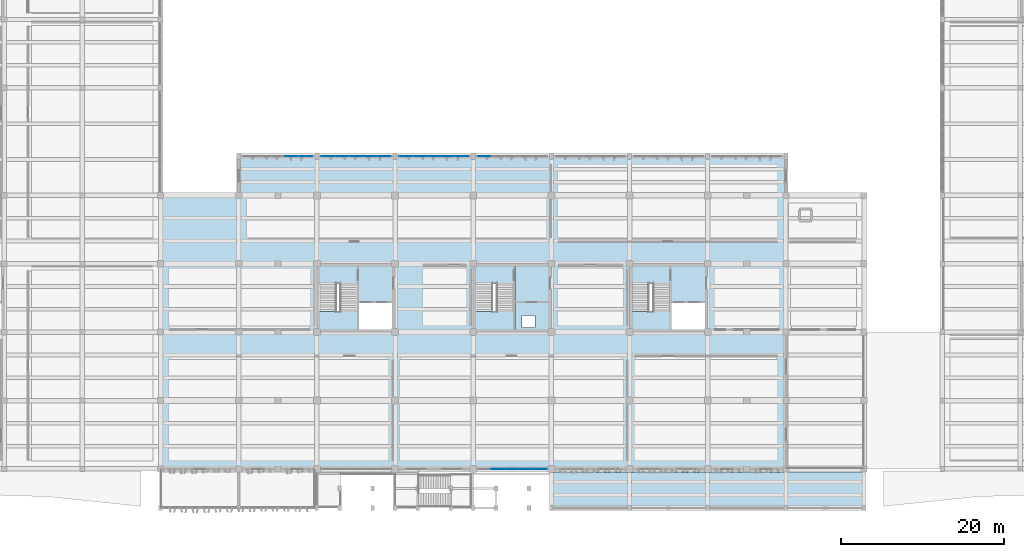
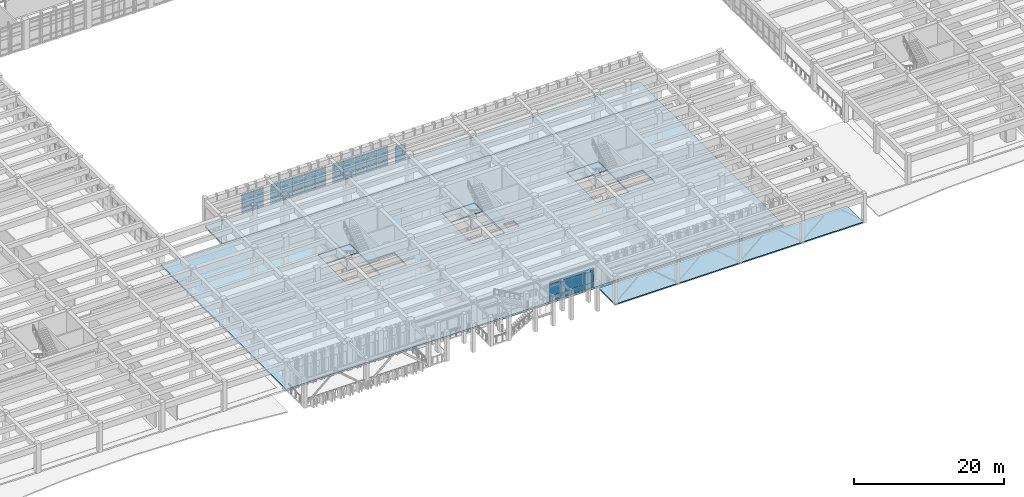
# One storey, part 47 of 86: 50 plates, 9 slabs, 8 elements without a shape of their own.
"""IFC4 building model written with IfcOpenShell, lengths in metres."""

from ifc_helpers import new_model, si_unit, direction, frame, origin, origin_2d, place, context, subcontext, project, spatial, polyline, rectangle, outline, extrude, material, layer, layer_set, type_object, element, aggregate, save


model = new_model("IFC4")

# Units and contexts
model_context = context("Model", 3, precision=1e-05, world=origin(), true_north=direction((0.0, 1.0)))
body_context = subcontext(model_context, "Body", "Model", "MODEL_VIEW")
ifc_project = project(units=[si_unit("LENGTHUNIT", "METRE"), si_unit("AREAUNIT", "SQUARE_METRE"), si_unit("VOLUMEUNIT", "CUBIC_METRE"), si_unit("PLANEANGLEUNIT", "RADIAN"), si_unit("MASSUNIT", "GRAM", prefix="KILO")], contexts=[model_context])

# Site, building, storey
site_placement = place(None, origin())
site = spatial("IfcSite", under=ifc_project, at=site_placement, CompositionType="ELEMENT")
building_placement = place(site_placement, origin())
building = spatial("IfcBuilding", under=site, at=building_placement, Name="Kolvemor Railside Polytechnic", CompositionType="ELEMENT")
storey_placement = place(building_placement, frame((0.0, 0.0, 5.39990234375)))
storey = spatial("IfcBuildingStorey", under=building, at=storey_placement, Name="L01", CompositionType="ELEMENT", Elevation=5.39990234375)

# Curtain wall, plates
ifc_material_1 = material(Name="Anodised marine aluminium and laminated low-E glass", Category="aluminium")
ifc_layer_1 = layer(ifc_material_1, 0.179931640625, Name="CW-UNIT-STD")
ifc_layer_set_1 = layer_set([ifc_layer_1], Name="Anodised marine aluminium and laminated low-E glass")
curtain_wall_type = type_object("IfcCurtainWallType", Name="CW-UNIT-STD", PredefinedType="USERDEFINED", material=ifc_layer_set_1)
curtain_wall_1_placement = place(storey_placement, origin())
curtain_wall_1 = element("IfcCurtainWall", 1, at=curtain_wall_1_placement, inside=storey, type_object=curtain_wall_type, Name="Curtain Wall L01-113", ObjectType="UNITISED CURTAIN WALL", PredefinedType="USERDEFINED")
ifc_material_2 = material(Name="Hurricane-laminated solar-control low-E glass", Category="glass")
ifc_layer_2 = layer(ifc_material_2, 0.02587890625, Name="CWP-GLZ-03")
ifc_layer_set_2 = layer_set([ifc_layer_2], Name="Hurricane-laminated solar-control low-E glass")
plate_type_1 = type_object("IfcPlateType", Name="CWP-GLZ-03", PredefinedType="CURTAIN_PANEL", material=ifc_layer_set_2)
plate_1_placement = place(storey_placement, frame((65.84765625, 43.199951171875, 0.06494140625), z_axis=(0.0, 0.0, 1.0), x_axis=(-1.0, 0.0, 0.0)))
plate_1 = element("IfcPlate", 2, at=plate_1_placement, type_object=plate_type_1, Name="CW-STD panel 1.1", PredefinedType="CURTAIN_PANEL", context=body_context, shape_type="SweptSolid", body=[
    extrude(rectangle(XDim=1.634521484375, YDim=0.02587890625, at=origin_2d()), origin(), (0.0, 0.0, 1.0), 0.802490234375),
])
plate_2_placement = place(storey_placement, frame((65.84765625, 43.199951171875, 0.9326171875), z_axis=(0.0, 0.0, 1.0), x_axis=(-1.0, 0.0, 0.0)))
plate_2 = element("IfcPlate", 3, at=plate_2_placement, type_object=plate_type_1, Name="CW-STD panel 1.2", PredefinedType="CURTAIN_PANEL", context=body_context, shape_type="SweptSolid", body=[
    extrude(rectangle(XDim=1.634521484375, YDim=0.02587890625, at=origin_2d()), origin(), (0.0, 0.0, 1.0), 1.764892578125),
])
plate_3_placement = place(storey_placement, frame((65.84765625, 43.199951171875, 2.7626953125), z_axis=(0.0, 0.0, 1.0), x_axis=(-1.0, 0.0, 0.0)))
plate_3 = element("IfcPlate", 4, at=plate_3_placement, type_object=plate_type_1, Name="CW-STD panel 1.3", PredefinedType="CURTAIN_PANEL", context=body_context, shape_type="SweptSolid", body=[
    extrude(rectangle(XDim=1.634521484375, YDim=0.02587890625, at=origin_2d()), origin(), (0.0, 0.0, 1.0), 0.452392578125),
])
plate_4_placement = place(storey_placement, frame((64.132080078125, 43.199951171875, 0.06494140625), z_axis=(0.0, 0.0, 1.0), x_axis=(-1.0, 0.0, 0.0)))
plate_4 = element("IfcPlate", 5, at=plate_4_placement, type_object=plate_type_1, Name="CW-STD panel 2.1", PredefinedType="CURTAIN_PANEL", context=body_context, shape_type="SweptSolid", body=[
    extrude(rectangle(XDim=1.6669921875, YDim=0.02587890625, at=origin_2d()), origin(), (0.0, 0.0, 1.0), 0.802490234375),
])
plate_5_placement = place(storey_placement, frame((64.132080078125, 43.199951171875, 0.9326171875), z_axis=(0.0, 0.0, 1.0), x_axis=(-1.0, 0.0, 0.0)))
plate_5 = element("IfcPlate", 6, at=plate_5_placement, type_object=plate_type_1, Name="CW-STD panel 2.2", PredefinedType="CURTAIN_PANEL", context=body_context, shape_type="SweptSolid", body=[
    extrude(rectangle(XDim=1.6669921875, YDim=0.02587890625, at=origin_2d()), origin(), (0.0, 0.0, 1.0), 1.764892578125),
])
plate_6_placement = place(storey_placement, frame((64.132080078125, 43.199951171875, 2.7626953125), z_axis=(0.0, 0.0, 1.0), x_axis=(-1.0, 0.0, 0.0)))
plate_6 = element("IfcPlate", 7, at=plate_6_placement, type_object=plate_type_1, Name="CW-STD panel 2.3", PredefinedType="CURTAIN_PANEL", context=body_context, shape_type="SweptSolid", body=[
    extrude(rectangle(XDim=1.6669921875, YDim=0.02587890625, at=origin_2d()), origin(), (0.0, 0.0, 1.0), 0.452392578125),
])
aggregate(curtain_wall_1, [plate_1, plate_2, plate_3, plate_4, plate_5, plate_6])

curtain_wall_2_placement = place(storey_placement, origin())
curtain_wall_2 = element("IfcCurtainWall", 8, at=curtain_wall_2_placement, inside=storey, type_object=curtain_wall_type, Name="Curtain Wall L01-114", ObjectType="UNITISED CURTAIN WALL", PredefinedType="USERDEFINED")
ifc_material_3 = material(Name="Hurricane-laminated solar-control low-E glass", Category="glass")
ifc_layer_3 = layer(ifc_material_3, 0.028076171875, Name="CWP-GLZ-04")
ifc_layer_set_3 = layer_set([ifc_layer_3], Name="Hurricane-laminated solar-control low-E glass")
plate_type_2 = type_object("IfcPlateType", Name="CWP-GLZ-04", PredefinedType="CURTAIN_PANEL", material=ifc_layer_set_3)
plate_7_placement = place(storey_placement, frame((75.44775390625, 43.199951171875, 0.06494140625), z_axis=(0.0, 0.0, 1.0), x_axis=(-1.0, 0.0, 0.0)))
plate_7 = element("IfcPlate", 9, at=plate_7_placement, type_object=plate_type_2, Name="CW-STD panel 1.1", PredefinedType="CURTAIN_PANEL", context=body_context, shape_type="SweptSolid", body=[
    extrude(rectangle(XDim=1.634521484375, YDim=0.028076171875, at=origin_2d()), origin(), (0.0, 0.0, 1.0), 0.802490234375),
])
plate_8_placement = place(storey_placement, frame((75.44775390625, 43.199951171875, 0.9326171875), z_axis=(0.0, 0.0, 1.0), x_axis=(-1.0, 0.0, 0.0)))
plate_8 = element("IfcPlate", 10, at=plate_8_placement, type_object=plate_type_2, Name="CW-STD panel 1.2", PredefinedType="CURTAIN_PANEL", context=body_context, shape_type="SweptSolid", body=[
    extrude(rectangle(XDim=1.634521484375, YDim=0.028076171875, at=origin_2d()), origin(), (0.0, 0.0, 1.0), 1.764892578125),
])
plate_9_placement = place(storey_placement, frame((75.44775390625, 43.199951171875, 2.7626953125), z_axis=(0.0, 0.0, 1.0), x_axis=(-1.0, 0.0, 0.0)))
plate_9 = element("IfcPlate", 11, at=plate_9_placement, type_object=plate_type_2, Name="CW-STD panel 1.3", PredefinedType="CURTAIN_PANEL", context=body_context, shape_type="SweptSolid", body=[
    extrude(rectangle(XDim=1.634521484375, YDim=0.028076171875, at=origin_2d()), origin(), (0.0, 0.0, 1.0), 0.452392578125),
])
plate_10_placement = place(storey_placement, frame((73.73193359375, 43.199951171875, 0.06494140625), z_axis=(0.0, 0.0, 1.0), x_axis=(-1.0, 0.0, 0.0)))
plate_10 = element("IfcPlate", 12, at=plate_10_placement, type_object=plate_type_2, Name="CW-STD panel 2.1", PredefinedType="CURTAIN_PANEL", context=body_context, shape_type="SweptSolid", body=[
    extrude(rectangle(XDim=1.6669921875, YDim=0.028076171875, at=origin_2d()), origin(), (0.0, 0.0, 1.0), 0.802490234375),
])
plate_11_placement = place(storey_placement, frame((73.73193359375, 43.199951171875, 0.9326171875), z_axis=(0.0, 0.0, 1.0), x_axis=(-1.0, 0.0, 0.0)))
plate_11 = element("IfcPlate", 13, at=plate_11_placement, type_object=plate_type_2, Name="CW-STD panel 2.2", PredefinedType="CURTAIN_PANEL", context=body_context, shape_type="SweptSolid", body=[
    extrude(rectangle(XDim=1.6669921875, YDim=0.028076171875, at=origin_2d()), origin(), (0.0, 0.0, 1.0), 1.764892578125),
])
plate_12_placement = place(storey_placement, frame((73.73193359375, 43.199951171875, 2.7626953125), z_axis=(0.0, 0.0, 1.0), x_axis=(-1.0, 0.0, 0.0)))
plate_12 = element("IfcPlate", 14, at=plate_12_placement, type_object=plate_type_2, Name="CW-STD panel 2.3", PredefinedType="CURTAIN_PANEL", context=body_context, shape_type="SweptSolid", body=[
    extrude(rectangle(XDim=1.6669921875, YDim=0.028076171875, at=origin_2d()), origin(), (0.0, 0.0, 1.0), 0.452392578125),
])
plate_13_placement = place(storey_placement, frame((72.0, 43.199951171875, 0.06494140625), z_axis=(0.0, 0.0, 1.0), x_axis=(-1.0, 0.0, 0.0)))
plate_13 = element("IfcPlate", 15, at=plate_13_placement, type_object=plate_type_2, Name="CW-STD panel 3.1", PredefinedType="CURTAIN_PANEL", context=body_context, shape_type="SweptSolid", body=[
    extrude(rectangle(XDim=1.6669921875, YDim=0.028076171875, at=origin_2d()), origin(), (0.0, 0.0, 1.0), 0.802490234375),
])
plate_14_placement = place(storey_placement, frame((72.0, 43.199951171875, 0.9326171875), z_axis=(0.0, 0.0, 1.0), x_axis=(-1.0, 0.0, 0.0)))
plate_14 = element("IfcPlate", 16, at=plate_14_placement, type_object=plate_type_2, Name="CW-STD panel 3.2", PredefinedType="CURTAIN_PANEL", context=body_context, shape_type="SweptSolid", body=[
    extrude(rectangle(XDim=1.6669921875, YDim=0.028076171875, at=origin_2d()), origin(), (0.0, 0.0, 1.0), 1.764892578125),
])
plate_15_placement = place(storey_placement, frame((72.0, 43.199951171875, 2.7626953125), z_axis=(0.0, 0.0, 1.0), x_axis=(-1.0, 0.0, 0.0)))
plate_15 = element("IfcPlate", 17, at=plate_15_placement, type_object=plate_type_2, Name="CW-STD panel 3.3", PredefinedType="CURTAIN_PANEL", context=body_context, shape_type="SweptSolid", body=[
    extrude(rectangle(XDim=1.6669921875, YDim=0.028076171875, at=origin_2d()), origin(), (0.0, 0.0, 1.0), 0.452392578125),
])
plate_16_placement = place(storey_placement, frame((70.26806640625, 43.199951171875, 0.06494140625), z_axis=(0.0, 0.0, 1.0), x_axis=(-1.0, 0.0, 0.0)))
plate_16 = element("IfcPlate", 18, at=plate_16_placement, type_object=plate_type_2, Name="CW-STD panel 4.1", PredefinedType="CURTAIN_PANEL", context=body_context, shape_type="SweptSolid", body=[
    extrude(rectangle(XDim=1.6669921875, YDim=0.028076171875, at=origin_2d()), origin(), (0.0, 0.0, 1.0), 0.802490234375),
])
plate_17_placement = place(storey_placement, frame((70.26806640625, 43.199951171875, 0.9326171875), z_axis=(0.0, 0.0, 1.0), x_axis=(-1.0, 0.0, 0.0)))
plate_17 = element("IfcPlate", 19, at=plate_17_placement, type_object=plate_type_2, Name="CW-STD panel 4.2", PredefinedType="CURTAIN_PANEL", context=body_context, shape_type="SweptSolid", body=[
    extrude(rectangle(XDim=1.6669921875, YDim=0.028076171875, at=origin_2d()), origin(), (0.0, 0.0, 1.0), 1.764892578125),
])
plate_18_placement = place(storey_placement, frame((70.26806640625, 43.199951171875, 2.7626953125), z_axis=(0.0, 0.0, 1.0), x_axis=(-1.0, 0.0, 0.0)))
plate_18 = element("IfcPlate", 20, at=plate_18_placement, type_object=plate_type_2, Name="CW-STD panel 4.3", PredefinedType="CURTAIN_PANEL", context=body_context, shape_type="SweptSolid", body=[
    extrude(rectangle(XDim=1.6669921875, YDim=0.028076171875, at=origin_2d()), origin(), (0.0, 0.0, 1.0), 0.452392578125),
])
plate_19_placement = place(storey_placement, frame((68.55224609375, 43.199951171875, 0.06494140625), z_axis=(0.0, 0.0, 1.0), x_axis=(-1.0, 0.0, 0.0)))
plate_19 = element("IfcPlate", 21, at=plate_19_placement, type_object=plate_type_2, Name="CW-STD panel 5.1", PredefinedType="CURTAIN_PANEL", context=body_context, shape_type="SweptSolid", body=[
    extrude(rectangle(XDim=1.634521484375, YDim=0.028076171875, at=origin_2d()), origin(), (0.0, 0.0, 1.0), 0.802490234375),
])
plate_20_placement = place(storey_placement, frame((68.55224609375, 43.199951171875, 0.9326171875), z_axis=(0.0, 0.0, 1.0), x_axis=(-1.0, 0.0, 0.0)))
plate_20 = element("IfcPlate", 22, at=plate_20_placement, type_object=plate_type_2, Name="CW-STD panel 5.2", PredefinedType="CURTAIN_PANEL", context=body_context, shape_type="SweptSolid", body=[
    extrude(rectangle(XDim=1.634521484375, YDim=0.028076171875, at=origin_2d()), origin(), (0.0, 0.0, 1.0), 1.764892578125),
])
plate_21_placement = place(storey_placement, frame((68.55224609375, 43.199951171875, 2.7626953125), z_axis=(0.0, 0.0, 1.0), x_axis=(-1.0, 0.0, 0.0)))
plate_21 = element("IfcPlate", 23, at=plate_21_placement, type_object=plate_type_2, Name="CW-STD panel 5.3", PredefinedType="CURTAIN_PANEL", context=body_context, shape_type="SweptSolid", body=[
    extrude(rectangle(XDim=1.634521484375, YDim=0.028076171875, at=origin_2d()), origin(), (0.0, 0.0, 1.0), 0.452392578125),
])
aggregate(curtain_wall_2, [plate_7, plate_8, plate_9, plate_10, plate_11, plate_12, plate_13, plate_14, plate_15, plate_16, plate_17, plate_18, plate_19, plate_20, plate_21])

curtain_wall_3_placement = place(storey_placement, origin())
curtain_wall_3 = element("IfcCurtainWall", 24, at=curtain_wall_3_placement, inside=storey, type_object=curtain_wall_type, Name="Curtain Wall L01-115", ObjectType="UNITISED CURTAIN WALL", PredefinedType="USERDEFINED")
ifc_material_4 = material(Name="Hurricane-laminated solar-control low-E glass", Category="glass")
ifc_layer_4 = layer(ifc_material_4, 0.030029296875, Name="CWP-GLZ-05")
ifc_layer_set_4 = layer_set([ifc_layer_4], Name="Hurricane-laminated solar-control low-E glass")
plate_type_3 = type_object("IfcPlateType", Name="CWP-GLZ-05", PredefinedType="CURTAIN_PANEL", material=ifc_layer_set_4)
plate_22_placement = place(storey_placement, frame((85.0478515625, 43.199951171875, 0.06494140625), z_axis=(0.0, 0.0, 1.0), x_axis=(-1.0, 0.0, 0.0)))
plate_22 = element("IfcPlate", 25, at=plate_22_placement, type_object=plate_type_3, Name="CW-STD panel 1.1", PredefinedType="CURTAIN_PANEL", context=body_context, shape_type="SweptSolid", body=[
    extrude(rectangle(XDim=1.634521484375, YDim=0.030029296875, at=origin_2d()), origin(), (0.0, 0.0, 1.0), 0.802490234375),
])
plate_23_placement = place(storey_placement, frame((85.0478515625, 43.199951171875, 0.9326171875), z_axis=(0.0, 0.0, 1.0), x_axis=(-1.0, 0.0, 0.0)))
plate_23 = element("IfcPlate", 26, at=plate_23_placement, type_object=plate_type_3, Name="CW-STD panel 1.2", PredefinedType="CURTAIN_PANEL", context=body_context, shape_type="SweptSolid", body=[
    extrude(rectangle(XDim=1.634521484375, YDim=0.030029296875, at=origin_2d()), origin(), (0.0, 0.0, 1.0), 1.764892578125),
])
plate_24_placement = place(storey_placement, frame((85.0478515625, 43.199951171875, 2.7626953125), z_axis=(0.0, 0.0, 1.0), x_axis=(-1.0, 0.0, 0.0)))
plate_24 = element("IfcPlate", 27, at=plate_24_placement, type_object=plate_type_3, Name="CW-STD panel 1.3", PredefinedType="CURTAIN_PANEL", context=body_context, shape_type="SweptSolid", body=[
    extrude(rectangle(XDim=1.634521484375, YDim=0.030029296875, at=origin_2d()), origin(), (0.0, 0.0, 1.0), 0.452392578125),
])
plate_25_placement = place(storey_placement, frame((83.33203125, 43.199951171875, 0.06494140625), z_axis=(0.0, 0.0, 1.0), x_axis=(-1.0, 0.0, 0.0)))
plate_25 = element("IfcPlate", 28, at=plate_25_placement, type_object=plate_type_3, Name="CW-STD panel 2.1", PredefinedType="CURTAIN_PANEL", context=body_context, shape_type="SweptSolid", body=[
    extrude(rectangle(XDim=1.6669921875, YDim=0.030029296875, at=origin_2d()), origin(), (0.0, 0.0, 1.0), 0.802490234375),
])
plate_26_placement = place(storey_placement, frame((83.33203125, 43.199951171875, 0.9326171875), z_axis=(0.0, 0.0, 1.0), x_axis=(-1.0, 0.0, 0.0)))
plate_26 = element("IfcPlate", 29, at=plate_26_placement, type_object=plate_type_3, Name="CW-STD panel 2.2", PredefinedType="CURTAIN_PANEL", context=body_context, shape_type="SweptSolid", body=[
    extrude(rectangle(XDim=1.6669921875, YDim=0.030029296875, at=origin_2d()), origin(), (0.0, 0.0, 1.0), 1.764892578125),
])
plate_27_placement = place(storey_placement, frame((83.33203125, 43.199951171875, 2.7626953125), z_axis=(0.0, 0.0, 1.0), x_axis=(-1.0, 0.0, 0.0)))
plate_27 = element("IfcPlate", 30, at=plate_27_placement, type_object=plate_type_3, Name="CW-STD panel 2.3", PredefinedType="CURTAIN_PANEL", context=body_context, shape_type="SweptSolid", body=[
    extrude(rectangle(XDim=1.6669921875, YDim=0.030029296875, at=origin_2d()), origin(), (0.0, 0.0, 1.0), 0.452392578125),
])
plate_28_placement = place(storey_placement, frame((81.60009765625, 43.199951171875, 0.06494140625), z_axis=(0.0, 0.0, 1.0), x_axis=(-1.0, 0.0, 0.0)))
plate_28 = element("IfcPlate", 31, at=plate_28_placement, type_object=plate_type_3, Name="CW-STD panel 3.1", PredefinedType="CURTAIN_PANEL", context=body_context, shape_type="SweptSolid", body=[
    extrude(rectangle(XDim=1.6669921875, YDim=0.030029296875, at=origin_2d()), origin(), (0.0, 0.0, 1.0), 0.802490234375),
])
plate_29_placement = place(storey_placement, frame((81.60009765625, 43.199951171875, 0.9326171875), z_axis=(0.0, 0.0, 1.0), x_axis=(-1.0, 0.0, 0.0)))
plate_29 = element("IfcPlate", 32, at=plate_29_placement, type_object=plate_type_3, Name="CW-STD panel 3.2", PredefinedType="CURTAIN_PANEL", context=body_context, shape_type="SweptSolid", body=[
    extrude(rectangle(XDim=1.6669921875, YDim=0.030029296875, at=origin_2d()), origin(), (0.0, 0.0, 1.0), 1.764892578125),
])
plate_30_placement = place(storey_placement, frame((81.60009765625, 43.199951171875, 2.7626953125), z_axis=(0.0, 0.0, 1.0), x_axis=(-1.0, 0.0, 0.0)))
plate_30 = element("IfcPlate", 33, at=plate_30_placement, type_object=plate_type_3, Name="CW-STD panel 3.3", PredefinedType="CURTAIN_PANEL", context=body_context, shape_type="SweptSolid", body=[
    extrude(rectangle(XDim=1.6669921875, YDim=0.030029296875, at=origin_2d()), origin(), (0.0, 0.0, 1.0), 0.452392578125),
])
plate_31_placement = place(storey_placement, frame((79.867919921875, 43.199951171875, 0.06494140625), z_axis=(0.0, 0.0, 1.0), x_axis=(-1.0, 0.0, 0.0)))
plate_31 = element("IfcPlate", 34, at=plate_31_placement, type_object=plate_type_3, Name="CW-STD panel 4.1", PredefinedType="CURTAIN_PANEL", context=body_context, shape_type="SweptSolid", body=[
    extrude(rectangle(XDim=1.6669921875, YDim=0.030029296875, at=origin_2d()), origin(), (0.0, 0.0, 1.0), 0.802490234375),
])
plate_32_placement = place(storey_placement, frame((79.867919921875, 43.199951171875, 0.9326171875), z_axis=(0.0, 0.0, 1.0), x_axis=(-1.0, 0.0, 0.0)))
plate_32 = element("IfcPlate", 35, at=plate_32_placement, type_object=plate_type_3, Name="CW-STD panel 4.2", PredefinedType="CURTAIN_PANEL", context=body_context, shape_type="SweptSolid", body=[
    extrude(rectangle(XDim=1.6669921875, YDim=0.030029296875, at=origin_2d()), origin(), (0.0, 0.0, 1.0), 1.764892578125),
])
plate_33_placement = place(storey_placement, frame((79.867919921875, 43.199951171875, 2.7626953125), z_axis=(0.0, 0.0, 1.0), x_axis=(-1.0, 0.0, 0.0)))
plate_33 = element("IfcPlate", 36, at=plate_33_placement, type_object=plate_type_3, Name="CW-STD panel 4.3", PredefinedType="CURTAIN_PANEL", context=body_context, shape_type="SweptSolid", body=[
    extrude(rectangle(XDim=1.6669921875, YDim=0.030029296875, at=origin_2d()), origin(), (0.0, 0.0, 1.0), 0.452392578125),
])
plate_34_placement = place(storey_placement, frame((78.15234375, 43.199951171875, 0.06494140625), z_axis=(0.0, 0.0, 1.0), x_axis=(-1.0, 0.0, 0.0)))
plate_34 = element("IfcPlate", 37, at=plate_34_placement, type_object=plate_type_3, Name="CW-STD panel 5.1", PredefinedType="CURTAIN_PANEL", context=body_context, shape_type="SweptSolid", body=[
    extrude(rectangle(XDim=1.634521484375, YDim=0.030029296875, at=origin_2d()), origin(), (0.0, 0.0, 1.0), 0.802490234375),
])
plate_35_placement = place(storey_placement, frame((78.15234375, 43.199951171875, 0.9326171875), z_axis=(0.0, 0.0, 1.0), x_axis=(-1.0, 0.0, 0.0)))
plate_35 = element("IfcPlate", 38, at=plate_35_placement, type_object=plate_type_3, Name="CW-STD panel 5.2", PredefinedType="CURTAIN_PANEL", context=body_context, shape_type="SweptSolid", body=[
    extrude(rectangle(XDim=1.634521484375, YDim=0.030029296875, at=origin_2d()), origin(), (0.0, 0.0, 1.0), 1.764892578125),
])
plate_36_placement = place(storey_placement, frame((78.15234375, 43.199951171875, 2.7626953125), z_axis=(0.0, 0.0, 1.0), x_axis=(-1.0, 0.0, 0.0)))
plate_36 = element("IfcPlate", 39, at=plate_36_placement, type_object=plate_type_3, Name="CW-STD panel 5.3", PredefinedType="CURTAIN_PANEL", context=body_context, shape_type="SweptSolid", body=[
    extrude(rectangle(XDim=1.634521484375, YDim=0.030029296875, at=origin_2d()), origin(), (0.0, 0.0, 1.0), 0.452392578125),
])
aggregate(curtain_wall_3, [plate_22, plate_23, plate_24, plate_25, plate_26, plate_27, plate_28, plate_29, plate_30, plate_31, plate_32, plate_33, plate_34, plate_35, plate_36])

curtain_wall_4_placement = place(storey_placement, origin())
curtain_wall_4 = element("IfcCurtainWall", 40, at=curtain_wall_4_placement, inside=storey, type_object=curtain_wall_type, Name="Curtain Wall L01-116", ObjectType="UNITISED CURTAIN WALL", PredefinedType="USERDEFINED")
ifc_material_5 = material(Name="Hurricane-laminated solar-control low-E glass", Category="glass")
ifc_layer_5 = layer(ifc_material_5, 0.031982421875, Name="CWP-GLZ-06")
ifc_layer_set_5 = layer_set([ifc_layer_5], Name="Hurricane-laminated solar-control low-E glass")
plate_type_4 = type_object("IfcPlateType", Name="CWP-GLZ-06", PredefinedType="CURTAIN_PANEL", material=ifc_layer_set_5)
plate_37_placement = place(storey_placement, frame((87.752197265625, 43.199951171875, 0.06494140625), z_axis=(0.0, 0.0, 1.0), x_axis=(-1.0, 0.0, 0.0)))
plate_37 = element("IfcPlate", 41, at=plate_37_placement, type_object=plate_type_4, Name="CW-STD panel 5.1", PredefinedType="CURTAIN_PANEL", context=body_context, shape_type="SweptSolid", body=[
    extrude(rectangle(XDim=1.634521484375, YDim=0.031982421875, at=origin_2d()), origin(), (0.0, 0.0, 1.0), 0.802490234375),
])
plate_38_placement = place(storey_placement, frame((87.752197265625, 43.199951171875, 0.9326171875), z_axis=(0.0, 0.0, 1.0), x_axis=(-1.0, 0.0, 0.0)))
plate_38 = element("IfcPlate", 42, at=plate_38_placement, type_object=plate_type_4, Name="CW-STD panel 5.2", PredefinedType="CURTAIN_PANEL", context=body_context, shape_type="SweptSolid", body=[
    extrude(rectangle(XDim=1.634521484375, YDim=0.031982421875, at=origin_2d()), origin(), (0.0, 0.0, 1.0), 1.764892578125),
])
aggregate(curtain_wall_4, [plate_37, plate_38])

curtain_wall_5_placement = place(storey_placement, origin())
curtain_wall_5 = element("IfcCurtainWall", 43, at=curtain_wall_5_placement, inside=storey, type_object=curtain_wall_type, Name="Curtain Wall L01-097", ObjectType="UNITISED CURTAIN WALL", PredefinedType="USERDEFINED")
ifc_material_6 = material(Name="Hurricane-laminated solar-control low-E glass", Category="glass")
ifc_layer_6 = layer(ifc_material_6, 0.035888671875, Name="CWP-GLZ-08")
ifc_layer_set_6 = layer_set([ifc_layer_6], Name="Hurricane-laminated solar-control low-E glass")
plate_type_5 = type_object("IfcPlateType", Name="CWP-GLZ-08", PredefinedType="CURTAIN_PANEL", material=ifc_layer_set_6)
plate_39_placement = place(storey_placement, frame((89.468017578125, 4.800048828125, 0.074951171875), z_axis=(0.0, 0.0, 1.0), x_axis=(1.0, 0.0, 0.0)))
plate_39 = element("IfcPlate", 44, at=plate_39_placement, type_object=plate_type_5, Name="CW-STD panel 2.1", PredefinedType="CURTAIN_PANEL", context=body_context, shape_type="SweptSolid", body=[
    extrude(rectangle(XDim=1.656982421875, YDim=0.035888671875, at=origin_2d()), origin(), (0.0, 0.0, 1.0), 0.78759765625),
])
plate_40_placement = place(storey_placement, frame((89.468017578125, 4.800048828125, 0.937744140625), z_axis=(0.0, 0.0, 1.0), x_axis=(1.0, 0.0, 0.0)))
plate_40 = element("IfcPlate", 45, at=plate_40_placement, type_object=plate_type_5, Name="CW-STD panel 2.2", PredefinedType="CURTAIN_PANEL", context=body_context, shape_type="SweptSolid", body=[
    extrude(rectangle(XDim=1.656982421875, YDim=0.035888671875, at=origin_2d()), origin(), (0.0, 0.0, 1.0), 1.7548828125),
])
plate_41_placement = place(storey_placement, frame((89.468017578125, 4.800048828125, 2.767578125), z_axis=(0.0, 0.0, 1.0), x_axis=(1.0, 0.0, 0.0)))
plate_41 = element("IfcPlate", 46, at=plate_41_placement, type_object=plate_type_5, Name="CW-STD panel 2.3", PredefinedType="CURTAIN_PANEL", context=body_context, shape_type="SweptSolid", body=[
    extrude(rectangle(XDim=1.656982421875, YDim=0.035888671875, at=origin_2d()), origin(), (0.0, 0.0, 1.0), 0.4375),
])
plate_42_placement = place(storey_placement, frame((91.199951171875, 4.800048828125, 0.074951171875), z_axis=(0.0, 0.0, 1.0), x_axis=(1.0, 0.0, 0.0)))
plate_42 = element("IfcPlate", 47, at=plate_42_placement, type_object=plate_type_5, Name="CW-STD panel 3.1", PredefinedType="CURTAIN_PANEL", context=body_context, shape_type="SweptSolid", body=[
    extrude(rectangle(XDim=1.656982421875, YDim=0.035888671875, at=origin_2d()), origin(), (0.0, 0.0, 1.0), 0.78759765625),
])
plate_43_placement = place(storey_placement, frame((91.199951171875, 4.800048828125, 0.937744140625), z_axis=(0.0, 0.0, 1.0), x_axis=(1.0, 0.0, 0.0)))
plate_43 = element("IfcPlate", 48, at=plate_43_placement, type_object=plate_type_5, Name="CW-STD panel 3.2", PredefinedType="CURTAIN_PANEL", context=body_context, shape_type="SweptSolid", body=[
    extrude(rectangle(XDim=1.656982421875, YDim=0.035888671875, at=origin_2d()), origin(), (0.0, 0.0, 1.0), 1.7548828125),
])
plate_44_placement = place(storey_placement, frame((91.199951171875, 4.800048828125, 2.767578125), z_axis=(0.0, 0.0, 1.0), x_axis=(1.0, 0.0, 0.0)))
plate_44 = element("IfcPlate", 49, at=plate_44_placement, type_object=plate_type_5, Name="CW-STD panel 3.3", PredefinedType="CURTAIN_PANEL", context=body_context, shape_type="SweptSolid", body=[
    extrude(rectangle(XDim=1.656982421875, YDim=0.035888671875, at=origin_2d()), origin(), (0.0, 0.0, 1.0), 0.4375),
])
plate_45_placement = place(storey_placement, frame((92.931884765625, 4.800048828125, 0.074951171875), z_axis=(0.0, 0.0, 1.0), x_axis=(1.0, 0.0, 0.0)))
plate_45 = element("IfcPlate", 50, at=plate_45_placement, type_object=plate_type_5, Name="CW-STD panel 4.1", PredefinedType="CURTAIN_PANEL", context=body_context, shape_type="SweptSolid", body=[
    extrude(rectangle(XDim=1.656982421875, YDim=0.035888671875, at=origin_2d()), origin(), (0.0, 0.0, 1.0), 0.78759765625),
])
plate_46_placement = place(storey_placement, frame((92.931884765625, 4.800048828125, 0.937744140625), z_axis=(0.0, 0.0, 1.0), x_axis=(1.0, 0.0, 0.0)))
plate_46 = element("IfcPlate", 51, at=plate_46_placement, type_object=plate_type_5, Name="CW-STD panel 4.2", PredefinedType="CURTAIN_PANEL", context=body_context, shape_type="SweptSolid", body=[
    extrude(rectangle(XDim=1.656982421875, YDim=0.035888671875, at=origin_2d()), origin(), (0.0, 0.0, 1.0), 1.7548828125),
])
plate_47_placement = place(storey_placement, frame((92.931884765625, 4.800048828125, 2.767578125), z_axis=(0.0, 0.0, 1.0), x_axis=(1.0, 0.0, 0.0)))
plate_47 = element("IfcPlate", 52, at=plate_47_placement, type_object=plate_type_5, Name="CW-STD panel 4.3", PredefinedType="CURTAIN_PANEL", context=body_context, shape_type="SweptSolid", body=[
    extrude(rectangle(XDim=1.656982421875, YDim=0.035888671875, at=origin_2d()), origin(), (0.0, 0.0, 1.0), 0.4375),
])
plate_48_placement = place(storey_placement, frame((94.645263671875, 4.800048828125, 0.074951171875), z_axis=(0.0, 0.0, 1.0), x_axis=(1.0, 0.0, 0.0)))
plate_48 = element("IfcPlate", 53, at=plate_48_placement, type_object=plate_type_5, Name="CW-STD panel 5.1", PredefinedType="CURTAIN_PANEL", context=body_context, shape_type="SweptSolid", body=[
    extrude(rectangle(XDim=1.619384765625, YDim=0.035888671875, at=origin_2d()), origin(), (0.0, 0.0, 1.0), 0.78759765625),
])
plate_49_placement = place(storey_placement, frame((94.645263671875, 4.800048828125, 0.937744140625), z_axis=(0.0, 0.0, 1.0), x_axis=(1.0, 0.0, 0.0)))
plate_49 = element("IfcPlate", 54, at=plate_49_placement, type_object=plate_type_5, Name="CW-STD panel 5.2", PredefinedType="CURTAIN_PANEL", context=body_context, shape_type="SweptSolid", body=[
    extrude(rectangle(XDim=1.619384765625, YDim=0.035888671875, at=origin_2d()), origin(), (0.0, 0.0, 1.0), 1.7548828125),
])
plate_50_placement = place(storey_placement, frame((94.645263671875, 4.800048828125, 2.767578125), z_axis=(0.0, 0.0, 1.0), x_axis=(1.0, 0.0, 0.0)))
plate_50 = element("IfcPlate", 55, at=plate_50_placement, type_object=plate_type_5, Name="CW-STD panel 5.3", PredefinedType="CURTAIN_PANEL", context=body_context, shape_type="SweptSolid", body=[
    extrude(rectangle(XDim=1.619384765625, YDim=0.035888671875, at=origin_2d()), origin(), (0.0, 0.0, 1.0), 0.4375),
])
aggregate(curtain_wall_5, [plate_39, plate_40, plate_41, plate_42, plate_43, plate_44, plate_45, plate_46, plate_47, plate_48, plate_49, plate_50])

# Slabs
ifc_material_7 = material(Name="Concrete C40/50", Category="concrete")
ifc_layer_7 = layer(ifc_material_7, 0.18994140625, Name="SLB-CAN-190")
ifc_layer_set_7 = layer_set([ifc_layer_7], Name="Concrete C40/50")
slab_type_1 = type_object("IfcSlabType", Name="SLB-CAN-190", PredefinedType="ROOF", material=ifc_layer_set_7)
slab_1_placement = place(storey_placement, frame((0.0, 0.0, -0.18994140625)))
element("IfcSlab", 56, at=slab_1_placement, inside=storey, type_object=slab_type_1, Name="South Arcade East Lower Canopy L01-62", PredefinedType="ROOF", context=body_context, shape_type="SweptSolid", body=[
    extrude(outline(polyline([(96.0, 0.0), (134.324951171875, 0.0), (134.324951171875, 4.35009765625), (96.0, 4.35009765625), (96.0, 0.0)])), origin(), (0.0, 0.0, 1.0), 0.18994140625),
])
ifc_material_8 = material(Name="Concrete C40/50", Category="concrete")
ifc_layer_8 = layer(ifc_material_8, 0.199951171875, Name="SLB-LND-200")
ifc_layer_set_8 = layer_set([ifc_layer_8], Name="Concrete C40/50")
slab_type_2 = type_object("IfcSlabType", Name="SLB-LND-200", PredefinedType="LANDING", material=ifc_layer_set_8)
slab_2_placement = place(storey_placement, frame((0.0, 0.0, -0.199951171875)))
element("IfcSlab", 57, at=slab_2_placement, inside=storey, type_object=slab_type_2, Name="ST-1 Floor Landing L01", PredefinedType="LANDING", context=body_context, shape_type="SweptSolid", body=[
    extrude(outline(polyline([(67.360107421875, 27.60009765625), (72.2900390625, 27.60009765625), (72.2900390625, 29.840087890625), (67.360107421875, 29.840087890625), (67.360107421875, 27.60009765625)])), origin(), (0.0, 0.0, 1.0), 0.199951171875),
])

# Stair, slab
ifc_material_9 = material(Name="Concrete C40/50", Category="concrete")
stair_type = type_object("IfcStairType", Name="STR-CORE-480", PredefinedType="HALF_TURN_STAIR", material=ifc_material_9)
stair_1_placement = place(storey_placement, origin())
stair_1 = element("IfcStair", 58, at=stair_1_placement, inside=storey, type_object=stair_type, Name="Core Stair ST-1 (L01 to L02)", PredefinedType="HALF_TURN_STAIR")
slab_3_placement = place(storey_placement, frame((0.0, 0.0, 2.2001953125)))
slab_3 = element("IfcSlab", 59, at=slab_3_placement, type_object=slab_type_2, Name="ST-1-L01 landing 1", PredefinedType="LANDING", context=body_context, shape_type="SweptSolid", body=[
    extrude(outline(polyline([(67.35009765625, 21.75), (72.300048828125, 21.75), (72.300048828125, 24.125), (67.35009765625, 24.125), (67.35009765625, 21.75)])), origin(), (0.0, 0.0, 1.0), 0.199951171875),
])
aggregate(stair_1, [slab_3])

# Slab
slab_4_placement = place(storey_placement, frame((0.0, 0.0, -0.199951171875)))
element("IfcSlab", 60, at=slab_4_placement, inside=storey, type_object=slab_type_2, Name="ST-2 Floor Landing L01", PredefinedType="LANDING", context=body_context, shape_type="SweptSolid", body=[
    extrude(outline(polyline([(105.760009765625, 27.60009765625), (110.68994140625, 27.60009765625), (110.68994140625, 29.840087890625), (105.760009765625, 29.840087890625), (105.760009765625, 27.60009765625)])), origin(), (0.0, 0.0, 1.0), 0.199951171875),
])

# Stair, slab
stair_2_placement = place(storey_placement, origin())
stair_2 = element("IfcStair", 61, at=stair_2_placement, inside=storey, type_object=stair_type, Name="Core Stair ST-2 (L01 to L02)", PredefinedType="HALF_TURN_STAIR")
slab_5_placement = place(storey_placement, frame((0.0, 0.0, 2.2001953125)))
slab_5 = element("IfcSlab", 62, at=slab_5_placement, type_object=slab_type_2, Name="ST-2-L01 landing 1", PredefinedType="LANDING", context=body_context, shape_type="SweptSolid", body=[
    extrude(outline(polyline([(105.75, 21.75), (110.699951171875, 21.75), (110.699951171875, 24.125), (105.75, 24.125), (105.75, 21.75)])), origin(), (0.0, 0.0, 1.0), 0.199951171875),
])
aggregate(stair_2, [slab_5])

# Slab
slab_6_placement = place(storey_placement, frame((0.0, 0.0, -0.199951171875)))
element("IfcSlab", 63, at=slab_6_placement, inside=storey, type_object=slab_type_2, Name="ST-3 Floor Landing L01", PredefinedType="LANDING", context=body_context, shape_type="SweptSolid", body=[
    extrude(outline(polyline([(86.56005859375, 27.60009765625), (91.489990234375, 27.60009765625), (91.489990234375, 29.840087890625), (86.56005859375, 29.840087890625), (86.56005859375, 27.60009765625)])), origin(), (0.0, 0.0, 1.0), 0.199951171875),
])

# Stair, slab
stair_3_placement = place(storey_placement, origin())
stair_3 = element("IfcStair", 64, at=stair_3_placement, inside=storey, type_object=stair_type, Name="Core Stair ST-3 (L01 to L02)", PredefinedType="HALF_TURN_STAIR")
slab_7_placement = place(storey_placement, frame((0.0, 0.0, 2.2001953125)))
slab_7 = element("IfcSlab", 65, at=slab_7_placement, type_object=slab_type_2, Name="ST-3-L01 landing 1", PredefinedType="LANDING", context=body_context, shape_type="SweptSolid", body=[
    extrude(outline(polyline([(86.550048828125, 21.75), (91.5, 21.75), (91.5, 24.125), (86.550048828125, 24.125), (86.550048828125, 21.75)])), origin(), (0.0, 0.0, 1.0), 0.199951171875),
])
aggregate(stair_3, [slab_7])

# Slabs
ifc_material_10 = material(Name="Concrete C40/50", Category="concrete")
ifc_layer_9 = layer(ifc_material_10, 0.280029296875, Name="SLB-POD-L01")
ifc_layer_set_9 = layer_set([ifc_layer_9], Name="Concrete C40/50")
slab_type_3 = type_object("IfcSlabType", Name="SLB-POD-L01", PredefinedType="FLOOR", material=ifc_layer_set_9)
slab_8_placement = place(storey_placement, frame((0.0, 0.0, -0.27978515625)))
element("IfcSlab", 66, at=slab_8_placement, inside=storey, type_object=slab_type_3, Name="Main Stack L01 Slab L01-51", PredefinedType="FLOOR", context=body_context, shape_type="SweptSolid", body=[
    extrude(outline(polyline([(48.0, 4.800048828125), (124.800048828125, 4.800048828125), (124.800048828125, 38.39990234375), (48.0, 38.39990234375), (48.0, 4.800048828125)]), holes=[polyline([(67.340087890625, 21.739990234375), (72.31005859375, 21.739990234375), (72.31005859375, 29.860107421875), (67.340087890625, 29.860107421875), (67.340087890625, 21.739990234375)]), polyline([(72.35009765625, 21.949951171875), (76.449951171875, 21.949951171875), (76.449951171875, 25.14990234375), (72.35009765625, 25.14990234375), (72.35009765625, 21.949951171875)]), polyline([(105.739990234375, 21.739990234375), (110.7099609375, 21.739990234375), (110.7099609375, 29.860107421875), (105.739990234375, 29.860107421875), (105.739990234375, 21.739990234375)]), polyline([(110.75, 21.949951171875), (114.85009765625, 21.949951171875), (114.85009765625, 25.14990234375), (110.75, 25.14990234375), (110.75, 21.949951171875)]), polyline([(86.5400390625, 21.739990234375), (91.510009765625, 21.739990234375), (91.510009765625, 29.860107421875), (86.5400390625, 29.860107421875), (86.5400390625, 21.739990234375)]), polyline([(92.39990234375, 22.14990234375), (94.0, 22.14990234375), (94.0, 23.64990234375), (92.39990234375, 23.64990234375), (92.39990234375, 22.14990234375)])]), origin(), (0.0, 0.0, 1.0), 0.27978515625),
])
slab_9_placement = place(storey_placement, frame((0.0, 0.0, -0.27978515625)))
element("IfcSlab", 67, at=slab_9_placement, inside=storey, type_object=slab_type_3, Name="Main Stack L01 Slab L01-52", PredefinedType="FLOOR", context=body_context, shape_type="SweptSolid", body=[
    extrude(outline(polyline([(57.60009765625, 38.39990234375), (124.800048828125, 38.39990234375), (124.800048828125, 43.199951171875), (57.60009765625, 43.199951171875), (57.60009765625, 38.39990234375)])), origin(), (0.0, 0.0, 1.0), 0.27978515625),
])

save(model, "model.ifc")
